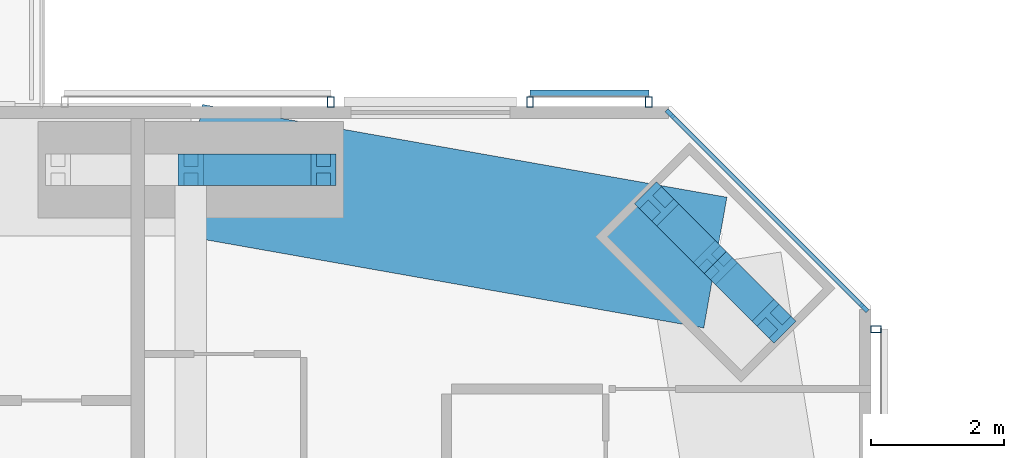
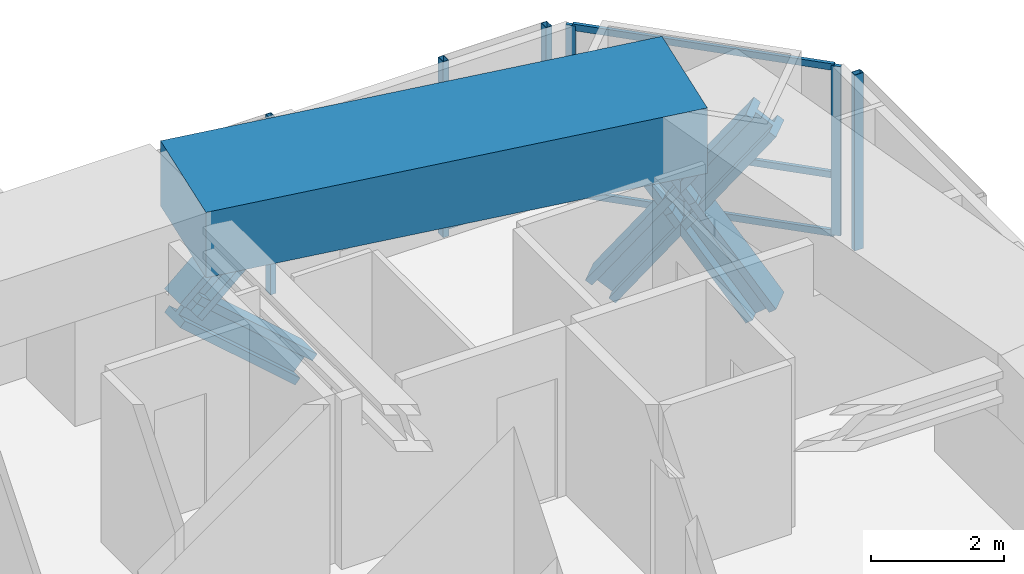
# One storey, part 13 of 22: 16 members, 1 beam, 4 elements without a shape of their own.
"""IFC4 building model written with IfcOpenShell, lengths in metres."""

import ifcopenshell
import ifcopenshell.guid

model = None  # the IFC model being written
_history = None  # IfcOwnerHistory: only IFC2X3 demands one
_inside = {}  # id of a spatial element -> (the spatial element, [elements in it])
_under = {}  # id of a project, library or spatial element -> (it, [spatial elements below it])
_declared = {}  # id of a project -> (the project, [libraries it declares])
_typed = {}  # id of a type object -> (the type object, [elements of that type])
_made_of = {}  # id of a material, layer set ... -> (it, [elements and type objects made of it])


def new_model(schema):
    """Start an empty IFC model of exactly this schema.

    Asked for "IFC4X3", IfcOpenShell would pick the latest addendum, in which some entities
    have other attributes; the version numbers below select the first issue.
    IFC2X3 requires an IfcOwnerHistory on every rooted entity: one is made here for all.
    """
    global model, _history
    if schema == "IFC4X3":
        model = ifcopenshell.file(schema_version=(4, 3, 0, 0))
    else:
        model = ifcopenshell.file(schema=schema)
    _inside.clear()
    _under.clear()
    _declared.clear()
    _typed.clear()
    _made_of.clear()
    _history = None
    if model.schema == "IFC2X3":
        org = make("IfcOrganization", Name="unknown")
        user = make(
            "IfcPersonAndOrganization",
            ThePerson=make("IfcPerson", FamilyName="unknown"),
            TheOrganization=org,
        )
        app = make(
            "IfcApplication",
            ApplicationDeveloper=org,
            Version="unknown",
            ApplicationFullName="unknown",
            ApplicationIdentifier="unknown",
        )
        _history = make(
            "IfcOwnerHistory",
            OwningUser=user,
            OwningApplication=app,
            ChangeAction="ADDED",
            CreationDate=0,
        )
    return model


def make(cls, **values):
    """One entity of the class cls with the attributes given. An attribute that is None is left unset."""
    return model.create_entity(
        cls, **{name: value for name, value in values.items() if value is not None}
    )


def rooted(cls, **values):
    """An entity with a GlobalId (a new one), such as an element, a storey or a relation."""
    return make(cls, GlobalId=ifcopenshell.guid.new(), OwnerHistory=_history, **values)


def si_unit(unit_type, name, prefix=None):
    """IfcSIUnit, for example si_unit("LENGTHUNIT", "METRE", prefix="MILLI")."""
    return make("IfcSIUnit", UnitType=unit_type, Prefix=prefix, Name=name)


def assignment(units):
    """IfcUnitAssignment: the units of a project."""
    return None if units is None else make("IfcUnitAssignment", Units=units)


def point(xyz):
    """IfcCartesianPoint."""
    return None if xyz is None else make("IfcCartesianPoint", Coordinates=xyz)


def direction(xyz):
    """IfcDirection."""
    return None if xyz is None else make("IfcDirection", DirectionRatios=xyz)


def frame(location, z_axis=None, x_axis=None):
    """IfcAxis2Placement3D, a coordinate frame: its origin and axes. An axis left out is left unset."""
    return make(
        "IfcAxis2Placement3D",
        Location=point(location),
        Axis=direction(z_axis),
        RefDirection=direction(x_axis),
    )


def frame_2d(location, x_axis=None):
    """IfcAxis2Placement2D, a coordinate frame in the plane: its origin and x axis."""
    return make(
        "IfcAxis2Placement2D", Location=point(location), RefDirection=direction(x_axis)
    )


def origin():
    """The frame at (0, 0, 0) with its axes left unset."""
    return frame((0.0, 0.0, 0.0))


def origin_2d():
    """The frame at (0, 0) in the plane with its x axis left unset."""
    return frame_2d((0.0, 0.0))


def place(relative_to, where):
    """IfcLocalPlacement: puts the frame where relative to a parent placement (None: the world)."""
    return make(
        "IfcLocalPlacement", PlacementRelTo=relative_to, RelativePlacement=where
    )


def context(
    kind, dimensions, precision=None, world=None, true_north=None, identifier=None
):
    """IfcGeometricRepresentationContext, for example the 3D "Model" context."""
    return make(
        "IfcGeometricRepresentationContext",
        ContextIdentifier=identifier,
        ContextType=kind,
        CoordinateSpaceDimension=dimensions,
        Precision=precision,
        WorldCoordinateSystem=world,
        TrueNorth=true_north,
    )


def subcontext(parent, identifier, kind, view, scale=None):
    """IfcGeometricRepresentationSubContext, for example "Body" below "Model"."""
    return make(
        "IfcGeometricRepresentationSubContext",
        ContextIdentifier=identifier,
        ContextType=kind,
        ParentContext=parent,
        TargetScale=scale,
        TargetView=view,
    )


def project(units=None, contexts=None):
    """IfcProject with its units and contexts."""
    return rooted(
        "IfcProject",
        Name="project",
        RepresentationContexts=contexts,
        UnitsInContext=assignment(units),
    )


def spatial(cls, under=None, at=None, **own):
    """A site, building, storey or space (cls), placed at a placement, below another one or the project."""
    s = rooted(cls, ObjectPlacement=at, **own)
    if under is not None:
        _under.setdefault(under.id(), (under, []))[1].append(s)
    return s


def profile(cls, at=None, kind="AREA", **sizes):
    """A parametric profile (cls). Its sizes go by their IFC names, for example OverallWidth=200.0."""
    return make(cls, ProfileType=kind, Position=at, **sizes)


def rectangle(**sizes):
    """IfcRectangleProfileDef."""
    return profile("IfcRectangleProfileDef", **sizes)


def hollow_rectangle(**sizes):
    """IfcRectangleHollowProfileDef."""
    return profile("IfcRectangleHollowProfileDef", **sizes)


def i_section(**sizes):
    """IfcIShapeProfileDef."""
    return profile("IfcIShapeProfileDef", **sizes)


def extrude(swept, where, along, depth):
    """IfcExtrudedAreaSolid: the profile swept, set in the frame where, extruded along a direction by depth."""
    return make(
        "IfcExtrudedAreaSolid",
        SweptArea=swept,
        Position=where,
        ExtrudedDirection=direction(along),
        Depth=depth,
    )


def shape(context_of_items, identifier, shape_type, items):
    """IfcShapeRepresentation: the items that make up one representation, for example the "Body"."""
    return make(
        "IfcShapeRepresentation",
        ContextOfItems=context_of_items,
        RepresentationIdentifier=identifier,
        RepresentationType=shape_type,
        Items=items,
    )


def material(Name=None, Category=None):
    """IfcMaterial."""
    return make("IfcMaterial", Name=Name, Category=Category)


def material_profile(
    of_material, cross_section, Name=None, Category=None, Priority=None
):
    """IfcMaterialProfile: a cross section and its material."""
    return make(
        "IfcMaterialProfile",
        Name=Name,
        Material=of_material,
        Profile=cross_section,
        Priority=Priority,
        Category=Category,
    )


def profile_set(profiles, Name=None, composite=None):
    """IfcMaterialProfileSet."""
    return make(
        "IfcMaterialProfileSet",
        Name=Name,
        MaterialProfiles=profiles,
        CompositeProfile=composite,
    )


def made_of(thing, what):
    """Note that an element or type object is made of a material, layer set ...; save() writes the relation."""
    if what is not None:
        _made_of.setdefault(what.id(), (what, []))[1].append(thing)
    return thing


def type_object(cls, material=None, **own):
    """A type object (cls), such as IfcWallType, which elements share."""
    return made_of(rooted(cls, **own), material)


def element(
    cls,
    number,
    at=None,
    inside=None,
    cuts=None,
    type_object=None,
    material=None,
    context=None,
    identifier="Body",
    shape_type=None,
    held_by="IfcProductDefinitionShape",
    body=None,
    shapes=None,
    **own,
):
    """One element of the class cls, such as IfcWall. Its Tag is "e" and its number.

    at: its placement. inside: the storey or other place that contains it. cuts: it is an
    opening in that element (IfcRelVoidsElement). A single representation is given by context,
    identifier, shape_type and body (its items); several are given by shapes. held_by: the class
    of the entity that holds the representations. save() writes the other relations.
    """
    e = rooted(cls, Tag="e%d" % number, ObjectPlacement=at, **own)
    if body is not None:
        shapes = [shape(context, identifier, shape_type, body)]
    if shapes is not None:
        e.Representation = make(held_by, Representations=shapes)
    if inside is not None:
        _inside.setdefault(inside.id(), (inside, []))[1].append(e)
    if cuts is not None:
        rooted(
            "IfcRelVoidsElement", RelatingBuildingElement=cuts, RelatedOpeningElement=e
        )
    if type_object is not None:
        _typed.setdefault(type_object.id(), (type_object, []))[1].append(e)
    return made_of(e, material)


def aggregate(whole, parts):
    """IfcRelAggregates: a whole, such as a stair, and the parts it consists of."""
    return rooted("IfcRelAggregates", RelatingObject=whole, RelatedObjects=parts)


def save(model, path):
    """Write the relations noted so far, then the file.

    IfcRelAggregates (storeys below a building ...), IfcRelContainedInSpatialStructure (elements
    in a storey), IfcRelDefinesByType, IfcRelAssociatesMaterial and IfcRelDeclares: one each for
    every whole, place, type object, material and project.
    """
    for whole, parts in _under.values():
        aggregate(whole, parts)
    for where, things in _inside.values():
        rooted(
            "IfcRelContainedInSpatialStructure",
            RelatedElements=things,
            RelatingStructure=where,
        )
    for kind, things in _typed.values():
        rooted("IfcRelDefinesByType", RelatedObjects=things, RelatingType=kind)
    for what, things in _made_of.values():
        rooted("IfcRelAssociatesMaterial", RelatedObjects=things, RelatingMaterial=what)
    for by, libraries in _declared.values():
        rooted("IfcRelDeclares", RelatingContext=by, RelatedDefinitions=libraries)
    model.write(path)


model = new_model("IFC4")

# Units and contexts
model_context = context("Model", 3, precision=1e-05, world=origin(), true_north=direction((0.0, 1.0)))
body_context = subcontext(model_context, "Body", "Model", "MODEL_VIEW")
ifc_project = project(units=[si_unit("LENGTHUNIT", "METRE"), si_unit("AREAUNIT", "SQUARE_METRE"), si_unit("VOLUMEUNIT", "CUBIC_METRE"), si_unit("PLANEANGLEUNIT", "RADIAN"), si_unit("MASSUNIT", "GRAM", prefix="KILO")], contexts=[model_context])

# Site, building, storey
site_placement = place(None, origin())
site = spatial("IfcSite", under=ifc_project, at=site_placement, CompositionType="ELEMENT")
building_placement = place(site_placement, origin())
building = spatial("IfcBuilding", under=site, at=building_placement, Name="Jalousie Tower", CompositionType="ELEMENT")
storey_placement = place(building_placement, frame((0.0, 0.0, 154.35009765625)))
storey = spatial("IfcBuildingStorey", under=building, at=storey_placement, Name="L41", CompositionType="ELEMENT", Elevation=154.35009765625)

# Curtain wall, members
ifc_material_1 = material(Name="Aluminium curtain wall", Category="aluminium")
curtain_wall_type_1 = type_object("IfcCurtainWallType", Name="CORNER WINDOW WALL", PredefinedType="USERDEFINED", material=ifc_material_1)
curtain_wall_1_placement = place(storey_placement, origin())
curtain_wall_1 = element("IfcCurtainWall", 1, at=curtain_wall_1_placement, inside=storey, type_object=curtain_wall_type_1, Name="Corner Window Wall L41 4", ObjectType="CORNER WINDOW WALL", PredefinedType="USERDEFINED")
ifc_material_2 = material(Name="Aluminium mullion", Category="aluminium")
ifc_material_profile_1 = material_profile(ifc_material_2, rectangle(XDim=0.06005859375, YDim=0.14990234375, at=origin_2d()), Name="MULLION 60x150")
ifc_profile_set_1 = profile_set([ifc_material_profile_1], Name="Aluminium mullion")
member_type_1 = type_object("IfcMemberType", Name="CORNER WINDOW WALL MULLION", PredefinedType="MULLION", material=ifc_profile_set_1)
member_1_placement = place(storey_placement, frame((52.891357421875, 32.969970703125, 0.0), z_axis=(0.0, 0.0, 1.0), x_axis=(-0.707106781187, -0.707106781187, 0.0)))
member_1 = element("IfcMember", 2, at=member_1_placement, type_object=member_type_1, Name="CW-C mullion 1", PredefinedType="MULLION", context=body_context, shape_type="SweptSolid", body=[
    extrude(rectangle(XDim=0.06005859375, YDim=0.14990234375, at=origin_2d()), origin(), (0.0, 0.0, 1.0), 3.10986328125),
])
member_2_placement = place(storey_placement, frame((49.969970703125, 35.891357421875, 0.0), z_axis=(0.0, 0.0, 1.0), x_axis=(-0.707106781187, -0.707106781187, 0.0)))
member_2 = element("IfcMember", 3, at=member_2_placement, type_object=member_type_1, Name="CW-C mullion 2", PredefinedType="MULLION", context=body_context, shape_type="SweptSolid", body=[
    extrude(rectangle(XDim=0.06005859375, YDim=0.14990234375, at=origin_2d()), origin(), (0.0, 0.0, 1.0), 3.10986328125),
])
ifc_material_3 = material(Name="Aluminium transom", Category="aluminium")
ifc_material_profile_2 = material_profile(ifc_material_3, rectangle(XDim=0.06005859375, YDim=0.1201171875, at=origin_2d()), Name="TRANSOM 60x120")
ifc_profile_set_2 = profile_set([ifc_material_profile_2], Name="Aluminium transom")
member_type_2 = type_object("IfcMemberType", Name="CORNER WINDOW WALL TRANSOM", PredefinedType="USERDEFINED", material=ifc_profile_set_2)
member_3_placement = place(storey_placement, frame((52.8701171875, 32.9912109375, 0.02978515625), z_axis=(-0.707106781187, 0.707106781187, 0.0), x_axis=(-0.707106781187, -0.707106781187, 0.0)))
member_3 = element("IfcMember", 4, at=member_3_placement, type_object=member_type_2, Name="CW-C transom 1.1", ObjectType="TRANSOM", PredefinedType="USERDEFINED", context=body_context, shape_type="SweptSolid", body=[
    extrude(rectangle(XDim=0.06005859375, YDim=0.1201171875, at=origin_2d()), origin(), (0.0, 0.0, 1.0), 4.0712890625),
])
member_4_placement = place(storey_placement, frame((52.8701171875, 32.9912109375, 1.099853515625), z_axis=(-0.707106781187, 0.707106781187, 0.0), x_axis=(-0.707106781187, -0.707106781187, 0.0)))
member_4 = element("IfcMember", 5, at=member_4_placement, type_object=member_type_2, Name="CW-C transom 1.2", ObjectType="TRANSOM", PredefinedType="USERDEFINED", context=body_context, shape_type="SweptSolid", body=[
    extrude(rectangle(XDim=0.06005859375, YDim=0.1201171875, at=origin_2d()), origin(), (0.0, 0.0, 1.0), 4.0712890625),
])
member_5_placement = place(storey_placement, frame((52.8701171875, 32.9912109375, 3.079833984375), z_axis=(-0.707106781187, 0.707106781187, 0.0), x_axis=(-0.707106781187, -0.707106781187, 0.0)))
member_5 = element("IfcMember", 6, at=member_5_placement, type_object=member_type_2, Name="CW-C transom 1.3", ObjectType="TRANSOM", PredefinedType="USERDEFINED", context=body_context, shape_type="SweptSolid", body=[
    extrude(rectangle(XDim=0.06005859375, YDim=0.1201171875, at=origin_2d()), origin(), (0.0, 0.0, 1.0), 4.0712890625),
])
aggregate(curtain_wall_1, [member_1, member_2, member_3, member_4, member_5])

# Members
ifc_material_4 = material(Name="Steel ASTM A992 Grade 50", Category="steel")
ifc_material_profile_3 = material_profile(ifc_material_4, i_section(OverallWidth=0.472412109375, OverallDepth=0.5791015625, WebThickness=0.094970703125, FlangeThickness=0.1298828125, at=origin_2d()), Name="W14X808")
ifc_profile_set_3 = profile_set([ifc_material_profile_3], Name="Steel ASTM A992 Grade 50")
member_type_3 = type_object("IfcMemberType", Name="PERIMETER BRACE W14X808", PredefinedType="BRACE", material=ifc_profile_set_3)
for number, where, z_axis, x_axis, name in (
    (7, (51.535400390625, 32.767578125, -0.75), (-0.410949221222, 0.411062743107, 0.813724866774), (-0.707204427637, -0.70700912125, 0.0), "Perimeter brace 08 L41 part 1"),
    (8, (50.651611328125, 33.651611328125, 1.0), (-0.411062743107, 0.410949221222, 0.813724866774), (-0.70700912125, -0.707204427637, 0.0), "Perimeter brace 08 L41 part 2"),
    (9, (49.767578125, 34.535400390625, -0.75), (0.411062743107, -0.410949221222, 0.813724866774), (0.70700912125, 0.707204427637, 0.0), "Perimeter brace 08 L41 part 3"),
    (10, (50.651611328125, 33.651611328125, 1.0), (0.410949221222, -0.411062743107, 0.813724866774), (0.707204427637, 0.70700912125, 0.0), "Perimeter brace 08 L41 part 4"),
):
    element("IfcMember", number, at=place(storey_placement, frame(where, z_axis=z_axis, x_axis=x_axis)), inside=storey, type_object=member_type_3, Name=name, PredefinedType="BRACE", context=body_context, shape_type="SweptSolid", body=[
        extrude(i_section(OverallWidth=0.472412109375, OverallDepth=0.5791015625, WebThickness=0.094970703125, FlangeThickness=0.1298828125, at=origin_2d()), origin(), (0.0, 0.0, 1.0), 2.150634765625),
    ])
for number, where, z_axis, x_axis, name in (
    (11, (42.75, 35.050048828125, 1.0), (0.752576694707, 0.0, 0.658504607869), (0.0, 1.0, 0.0), "Perimeter brace 09 L41 part 2"),
    (12, (44.75, 35.050048828125, -0.75), (-0.752576694707, 0.0, 0.658504607869), (0.0, -1.0, 0.0), "Perimeter brace 09 L41 part 3"),
):
    element("IfcMember", number, at=place(storey_placement, frame(where, z_axis=z_axis, x_axis=x_axis)), inside=storey, type_object=member_type_3, Name=name, PredefinedType="BRACE", context=body_context, shape_type="SweptSolid", body=[
        extrude(i_section(OverallWidth=0.472412109375, OverallDepth=0.5791015625, WebThickness=0.094970703125, FlangeThickness=0.1298828125, at=origin_2d()), origin(), (0.0, 0.0, 1.0), 2.657470703125),
    ])

# Beam
ifc_material_5 = material(Name="Concrete f'c 40 MPa", Category="concrete")
ifc_material_profile_4 = material_profile(ifc_material_5, rectangle(XDim=2.0, YDim=1.199951171875, at=origin_2d()), Name="RC 2000x1200")
ifc_profile_set_4 = profile_set([ifc_material_profile_4], Name="Concrete f'c 40 MPa")
beam_type = type_object("IfcBeamType", Name="RC BEAM 2000x1200", PredefinedType="BEAM", material=ifc_profile_set_4)
beam_placement = place(storey_placement, frame((50.651611328125, 33.651611328125, 2.75), z_axis=(-0.984697370688, 0.174273027632, 0.0), x_axis=(-0.174273027632, -0.984697370688, 0.0)))
element("IfcBeam", 13, at=beam_placement, inside=storey, type_object=beam_type, Name="Edge band beam 08-09 under L42", PredefinedType="BEAM", context=body_context, shape_type="SweptSolid", body=[
    extrude(rectangle(XDim=2.0, YDim=1.199951171875, at=origin_2d()), origin(), (0.0, 0.0, 1.0), 8.0244140625),
])

# Curtain wall, member
ifc_material_6 = material(Name="Perforated aluminium sheet", Category="aluminium")
curtain_wall_type_2 = type_object("IfcCurtainWallType", Name="SOLAR SCREEN SS-1", PredefinedType="USERDEFINED", material=ifc_material_6)
curtain_wall_2_placement = place(storey_placement, origin())
curtain_wall_2 = element("IfcCurtainWall", 14, at=curtain_wall_2_placement, inside=storey, type_object=curtain_wall_type_2, Name="Solar screen L41", ObjectType="SOLAR SCREEN SS-1", PredefinedType="USERDEFINED")
ifc_material_7 = material(Name="Steel ASTM A500 Grade C", Category="steel")
ifc_material_profile_5 = material_profile(ifc_material_7, hollow_rectangle(XDim=0.1015625, YDim=0.15234375, WallThickness=0.00634765625, at=origin_2d()), Name="HSS6X4X1/4")
ifc_profile_set_5 = profile_set([ifc_material_profile_5], Name="Steel ASTM A500 Grade C")
member_type_4 = type_object("IfcMemberType", Name="SOLAR SCREEN SS-1 MULLION", PredefinedType="MULLION", material=ifc_profile_set_5)
member_6_placement = place(storey_placement, frame((53.0712890625, 32.648681640625, -0.1201171875), z_axis=(0.0, 0.0, 1.0), x_axis=(0.0, 1.0, 0.0)))
member_6 = element("IfcMember", 15, at=member_6_placement, type_object=member_type_4, Name="SS1 post 2", PredefinedType="MULLION", context=body_context, shape_type="SweptSolid", body=[
    extrude(hollow_rectangle(XDim=0.1015625, YDim=0.15234375, WallThickness=0.00634765625, at=origin_2d()), origin(), (0.0, 0.0, 1.0), 3.22998046875),
])
aggregate(curtain_wall_2, [member_6])

# Curtain wall, members
curtain_wall_3_placement = place(storey_placement, origin())
curtain_wall_3 = element("IfcCurtainWall", 16, at=curtain_wall_3_placement, inside=storey, type_object=curtain_wall_type_2, Name="Solar screen L41", ObjectType="SOLAR SCREEN SS-1", PredefinedType="USERDEFINED")
member_7_placement = place(storey_placement, frame((49.648681640625, 36.0712890625, -0.1201171875), z_axis=(0.0, 0.0, 1.0), x_axis=(-1.0, 0.0, 0.0)))
member_7 = element("IfcMember", 17, at=member_7_placement, type_object=member_type_4, Name="SS1 post 1", PredefinedType="MULLION", context=body_context, shape_type="SweptSolid", body=[
    extrude(hollow_rectangle(XDim=0.1015625, YDim=0.15234375, WallThickness=0.00634765625, at=origin_2d()), origin(), (0.0, 0.0, 1.0), 3.22998046875),
])
member_8_placement = place(storey_placement, frame((47.859130859375, 36.0712890625, -0.1201171875), z_axis=(0.0, 0.0, 1.0), x_axis=(-1.0, 0.0, 0.0)))
member_8 = element("IfcMember", 18, at=member_8_placement, type_object=member_type_4, Name="SS1 post 2", PredefinedType="MULLION", context=body_context, shape_type="SweptSolid", body=[
    extrude(hollow_rectangle(XDim=0.1015625, YDim=0.15234375, WallThickness=0.00634765625, at=origin_2d()), origin(), (0.0, 0.0, 1.0), 3.22998046875),
])

# Curtain wall, member
curtain_wall_4_placement = place(storey_placement, origin())
curtain_wall_4 = element("IfcCurtainWall", 19, at=curtain_wall_4_placement, inside=storey, type_object=curtain_wall_type_2, Name="Solar screen L41", ObjectType="SOLAR SCREEN SS-1", PredefinedType="USERDEFINED")
member_9_placement = place(storey_placement, frame((44.859130859375, 36.0712890625, -0.1201171875), z_axis=(0.0, 0.0, 1.0), x_axis=(-1.0, 0.0, 0.0)))
member_9 = element("IfcMember", 20, at=member_9_placement, type_object=member_type_4, Name="SS1 post 1", PredefinedType="MULLION", context=body_context, shape_type="SweptSolid", body=[
    extrude(hollow_rectangle(XDim=0.1015625, YDim=0.15234375, WallThickness=0.00634765625, at=origin_2d()), origin(), (0.0, 0.0, 1.0), 3.22998046875),
])
aggregate(curtain_wall_4, [member_9])

# Member
ifc_material_8 = material(Name="Extruded aluminium screen rail", Category="aluminium")
ifc_material_profile_6 = material_profile(ifc_material_8, rectangle(XDim=0.1015625, YDim=0.1201171875, at=origin_2d()), Name="RAIL 102x120")
ifc_profile_set_6 = profile_set([ifc_material_profile_6], Name="Extruded aluminium screen rail")
member_type_5 = type_object("IfcMemberType", Name="SOLAR SCREEN SS-1 TRANSOM", PredefinedType="USERDEFINED", material=ifc_profile_set_6)
member_10_placement = place(storey_placement, frame((49.648681640625, 36.1982421875, -0.06005859375), z_axis=(-1.0, 0.0, 0.0), x_axis=(0.0, -1.0, 0.0)))
member_10 = element("IfcMember", 21, at=member_10_placement, type_object=member_type_5, Name="SS1 rail", ObjectType="TRANSOM", PredefinedType="USERDEFINED", context=body_context, shape_type="SweptSolid", body=[
    extrude(rectangle(XDim=0.1015625, YDim=0.1201171875, at=origin_2d()), origin(), (0.0, 0.0, 1.0), 1.78955078125),
])

aggregate(curtain_wall_3, [member_7, member_8, member_10])

save(model, "model.ifc")
